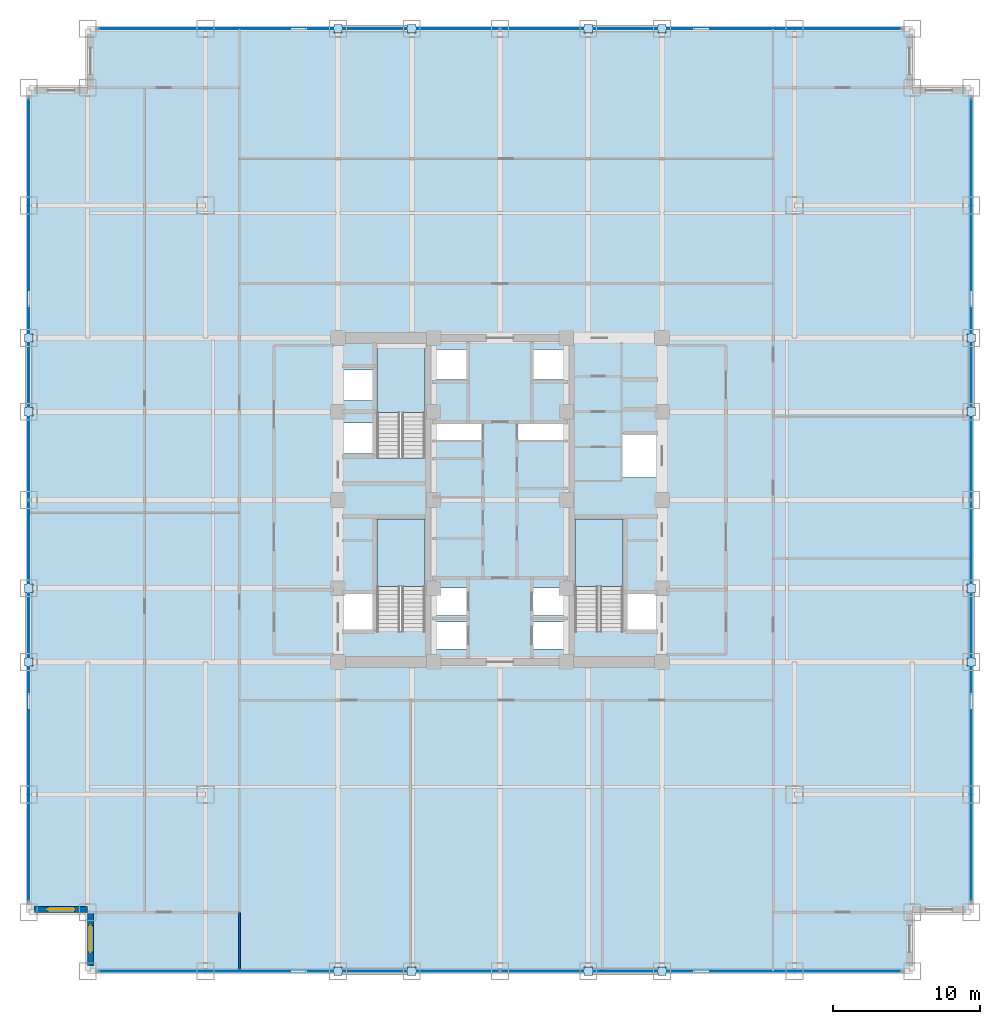
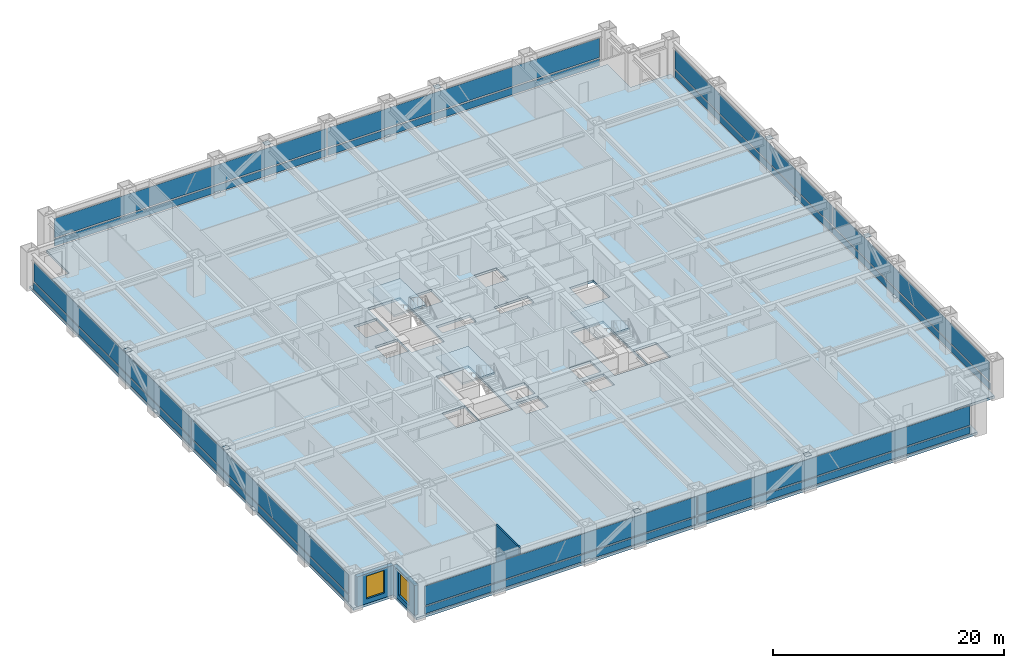
# One storey, part 22 of 27: 32 plates, 4 slabs, 3 walls, 2 windows, 2 openings, 7 elements without a shape of their own.
"""IFC4 building model written with IfcOpenShell, lengths in metres."""

from ifc_helpers import new_model, si_unit, direction, frame, frame_2d, origin, origin_2d, place, context, subcontext, project, spatial, polyline, rectangle, outline, extrude, source, transform, mapped, material, layer, layer_set, type_object, element, fill, aggregate, save


model = new_model("IFC4")

# Units and contexts
model_context = context("Model", 3, precision=1e-05, world=origin(), true_north=direction((0.0, 1.0)))
body_context = subcontext(model_context, "Body", "Model", "MODEL_VIEW")
ifc_project = project(units=[si_unit("LENGTHUNIT", "METRE"), si_unit("AREAUNIT", "SQUARE_METRE"), si_unit("VOLUMEUNIT", "CUBIC_METRE"), si_unit("PLANEANGLEUNIT", "RADIAN"), si_unit("MASSUNIT", "GRAM", prefix="KILO")], contexts=[model_context])

# Site, building, storey
site_placement = place(None, origin())
site = spatial("IfcSite", under=ifc_project, at=site_placement, CompositionType="ELEMENT")
building_placement = place(site_placement, origin())
building = spatial("IfcBuilding", under=site, at=building_placement, Name="Khorayat Bourse Tower", CompositionType="ELEMENT")
storey_placement = place(building_placement, frame((0.0, 0.0, 103.699951171875)))
storey = spatial("IfcBuildingStorey", under=building, at=storey_placement, Name="L23", CompositionType="ELEMENT", Elevation=103.699951171875)

# Stair, slab
ifc_material_1 = material(Name="Concrete C40/50", Category="concrete")
stair_type = type_object("IfcStairType", Name="STR-CORE-1550", PredefinedType="HALF_TURN_STAIR", material=ifc_material_1)
stair_1_placement = place(storey_placement, origin())
stair_1 = element("IfcStair", 1, at=stair_1_placement, inside=storey, type_object=stair_type, Name="L23 Exit Stair ST-1", PredefinedType="HALF_TURN_STAIR")
ifc_layer_1 = layer(ifc_material_1, 0.199951171875)
ifc_layer_set_1 = layer_set([ifc_layer_1], Name="Concrete C40/50")
slab_type_1 = type_object("IfcSlabType", Name="SLB-LANDING-200", PredefinedType="LANDING", material=ifc_layer_set_1)
slab_1_placement = place(storey_placement, frame((0.0, 0.0, 1.85009765625)))
slab_1 = element("IfcSlab", 2, at=slab_1_placement, type_object=slab_type_1, Name="ST-1 landing 1", PredefinedType="LANDING", context=body_context, shape_type="SweptSolid", body=[
    extrude(outline(polyline([(-5.10009765625, -5.8701171875), (-5.10009765625, -1.300048828125), (-8.35009765625, -1.300048828125), (-8.35009765625, -5.8701171875), (-5.10009765625, -5.8701171875)])), origin(), (0.0, 0.0, 1.0), 0.199951171875),
])
aggregate(stair_1, [slab_1])

stair_2_placement = place(storey_placement, origin())
stair_2 = element("IfcStair", 3, at=stair_2_placement, inside=storey, type_object=stair_type, Name="L23 Exit Stair ST-2", PredefinedType="HALF_TURN_STAIR")
slab_2_placement = place(storey_placement, frame((0.0, 0.0, 1.85009765625)))
slab_2 = element("IfcSlab", 4, at=slab_2_placement, type_object=slab_type_1, Name="ST-2 landing 1", PredefinedType="LANDING", context=body_context, shape_type="SweptSolid", body=[
    extrude(outline(polyline([(-5.10009765625, 5.929931640625), (-5.10009765625, 10.5), (-8.35009765625, 10.5), (-8.35009765625, 5.929931640625), (-5.10009765625, 5.929931640625)])), origin(), (0.0, 0.0, 1.0), 0.199951171875),
])
aggregate(stair_2, [slab_2])

stair_3_placement = place(storey_placement, origin())
stair_3 = element("IfcStair", 5, at=stair_3_placement, inside=storey, type_object=stair_type, Name="L23 Exit Stair ST-3", PredefinedType="HALF_TURN_STAIR")
slab_3_placement = place(storey_placement, frame((0.0, 0.0, 1.85009765625)))
slab_3 = element("IfcSlab", 6, at=slab_3_placement, type_object=slab_type_1, Name="ST-3 landing 1", PredefinedType="LANDING", context=body_context, shape_type="SweptSolid", body=[
    extrude(outline(polyline([(8.35009765625, -5.8701171875), (8.35009765625, -1.300048828125), (5.10009765625, -1.300048828125), (5.10009765625, -5.8701171875), (8.35009765625, -5.8701171875)])), origin(), (0.0, 0.0, 1.0), 0.199951171875),
])
aggregate(stair_3, [slab_3])

# Slab
ifc_layer_2 = layer(ifc_material_1, 0.260009765625)
ifc_layer_set_2 = layer_set([ifc_layer_2], Name="Concrete C40/50")
slab_type_2 = type_object("IfcSlabType", Name="SLB-TRADE-260", PredefinedType="FLOOR", material=ifc_layer_set_2)
slab_4_placement = place(storey_placement, frame((0.0, 0.0, -0.260009765625)))
element("IfcSlab", 7, at=slab_4_placement, inside=storey, type_object=slab_type_2, Name="L23 Main Floor Slab", PredefinedType="FLOOR", context=body_context, shape_type="SweptSolid", body=[
    extrude(outline(polyline([(-28.0, -32.0), (28.0, -32.0), (28.0, -28.0), (32.0, -28.0), (32.0, 28.0), (28.0, 28.0), (28.0, 32.0), (-28.0, 32.0), (-28.0, 28.0), (-32.0, 28.0), (-32.0, -28.0), (-28.0, -28.0), (-28.0, -32.0)]), holes=[polyline([(-8.35009765625, -8.945068359375), (-5.10009765625, -8.945068359375), (-5.10009765625, -1.300048828125), (-8.35009765625, -1.300048828125), (-8.35009765625, -8.945068359375)]), polyline([(-8.35009765625, 2.85498046875), (-5.10009765625, 2.85498046875), (-5.10009765625, 10.5), (-8.35009765625, 10.5), (-8.35009765625, 2.85498046875)]), polyline([(5.10009765625, -8.945068359375), (8.35009765625, -8.945068359375), (8.35009765625, -1.300048828125), (5.10009765625, -1.300048828125), (5.10009765625, -8.945068359375)]), polyline([(-4.3798828125, -10.1298828125), (-2.219970703125, -10.1298828125), (-2.219970703125, -8.27001953125), (-4.3798828125, -8.27001953125), (-4.3798828125, -10.1298828125)]), polyline([(2.219970703125, -10.1298828125), (4.3798828125, -10.1298828125), (4.3798828125, -8.27001953125), (2.219970703125, -8.27001953125), (2.219970703125, -10.1298828125)]), polyline([(-4.3798828125, -7.830078125), (-2.219970703125, -7.830078125), (-2.219970703125, -5.969970703125), (-4.3798828125, -5.969970703125), (-4.3798828125, -7.830078125)]), polyline([(2.219970703125, -7.830078125), (4.3798828125, -7.830078125), (4.3798828125, -5.969970703125), (2.219970703125, -5.969970703125), (2.219970703125, -7.830078125)]), polyline([(-4.3798828125, 8.169921875), (-2.1201171875, 8.169921875), (-2.1201171875, 10.22998046875), (-4.3798828125, 10.22998046875), (-4.3798828125, 8.169921875)]), polyline([(2.1201171875, 8.169921875), (4.3798828125, 8.169921875), (4.3798828125, 10.22998046875), (2.1201171875, 10.22998046875), (2.1201171875, 8.169921875)]), polyline([(-10.679931640625, 3.169921875), (-8.419921875, 3.169921875), (-8.419921875, 5.22998046875), (-10.679931640625, 5.22998046875), (-10.679931640625, 3.169921875)]), polyline([(-10.679931640625, 6.77001953125), (-8.419921875, 6.77001953125), (-8.419921875, 8.830078125), (-10.679931640625, 8.830078125), (-10.679931640625, 6.77001953125)]), polyline([(-10.679931640625, -8.929931640625), (-8.419921875, -8.929931640625), (-8.419921875, -6.3701171875), (-10.679931640625, -6.3701171875), (-10.679931640625, -8.929931640625)]), polyline([(8.419921875, -8.929931640625), (10.679931640625, -8.929931640625), (10.679931640625, -6.3701171875), (8.419921875, -6.3701171875), (8.419921875, -8.929931640625)]), polyline([(8.320068359375, 1.52001953125), (10.679931640625, 1.52001953125), (10.679931640625, 4.47998046875), (8.320068359375, 4.47998046875), (8.320068359375, 1.52001953125)]), polyline([(-4.56005859375, 4.080078125), (-1.18994140625, 4.080078125), (-1.18994140625, 5.219970703125), (-4.56005859375, 5.219970703125), (-4.56005859375, 4.080078125)]), polyline([(1.18994140625, 4.080078125), (4.56005859375, 4.080078125), (4.56005859375, 5.219970703125), (1.18994140625, 5.219970703125), (1.18994140625, 4.080078125)])]), origin(), (0.0, 0.0, 1.0), 0.260009765625),
])

# Plates
ifc_material_2 = material(Name="Steel EN 10025-2 S355J2", Category="steel")
ifc_layer_3 = layer(ifc_material_2, 0.02490234375)
ifc_layer_set_3 = layer_set([ifc_layer_3], Name="Steel EN 10025-2 S355J2")
plate_type_1 = type_object("IfcPlateType", Name="PLT-ENDCAP-25", PredefinedType="SHEET", material=ifc_layer_set_3)
shared_shape_1 = source(origin(), body_context, "Body", "SweptSolid", [
    extrude(rectangle(XDim=0.56005859375, YDim=0.56005859375, at=origin_2d()), origin(), (0.0, 0.0, 1.0), 0.02490234375),
])
for number, where, z_axis, x_axis, name in (
    (8, (-11.0, -32.0, 0.237548828125), (0.0, 0.0, 1.0), (1.0, 0.0, 0.0), "L23 Perimeter Brace End Plate 001"),
    (9, (-6.0, -32.0, 3.57763671875), (0.0, 0.0, 1.0), (1.0, 0.0, 0.0), "L23 Perimeter Brace End Plate 002"),
    (10, (6.0, -32.0, 0.237548828125), (0.0, 0.0, 1.0), (1.0, 0.0, 0.0), "L23 Perimeter Brace End Plate 003"),
    (11, (11.0, -32.0, 3.57763671875), (0.0, 0.0, 1.0), (1.0, 0.0, 0.0), "L23 Perimeter Brace End Plate 004"),
    (12, (-11.0, 32.0, 0.237548828125), (0.0, 0.0, 1.0), (1.0, 0.0, 0.0), "L23 Perimeter Brace End Plate 005"),
    (13, (-6.0, 32.0, 3.57763671875), (0.0, 0.0, 1.0), (1.0, 0.0, 0.0), "L23 Perimeter Brace End Plate 006"),
    (14, (6.0, 32.0, 0.237548828125), (0.0, 0.0, 1.0), (1.0, 0.0, 0.0), "L23 Perimeter Brace End Plate 007"),
    (15, (11.0, 32.0, 3.57763671875), (0.0, 0.0, 1.0), (1.0, 0.0, 0.0), "L23 Perimeter Brace End Plate 008"),
    (16, (-32.0, -11.0, 0.237548828125), (0.0, 0.0, 1.0), (1.0, 0.0, 0.0), "L23 Perimeter Brace End Plate 009"),
    (17, (-32.0, -6.0, 3.57763671875), (0.0, 0.0, 1.0), (1.0, 0.0, 0.0), "L23 Perimeter Brace End Plate 010"),
    (18, (-32.0, 6.0, 0.237548828125), (0.0, 0.0, 1.0), (1.0, 0.0, 0.0), "L23 Perimeter Brace End Plate 011"),
    (19, (-32.0, 11.0, 3.57763671875), (0.0, 0.0, 1.0), (1.0, 0.0, 0.0), "L23 Perimeter Brace End Plate 012"),
    (20, (32.0, -11.0, 0.237548828125), (0.0, 0.0, 1.0), (1.0, 0.0, 0.0), "L23 Perimeter Brace End Plate 013"),
    (21, (32.0, -6.0, 3.57763671875), (0.0, 0.0, 1.0), (1.0, 0.0, 0.0), "L23 Perimeter Brace End Plate 014"),
    (22, (32.0, 6.0, 0.237548828125), (0.0, 0.0, 1.0), (1.0, 0.0, 0.0), "L23 Perimeter Brace End Plate 015"),
    (23, (32.0, 11.0, 3.57763671875), (0.0, 0.0, 1.0), (1.0, 0.0, 0.0), "L23 Perimeter Brace End Plate 016"),
):
    element("IfcPlate", number, at=place(storey_placement, frame(where, z_axis=z_axis, x_axis=x_axis)), inside=storey, type_object=plate_type_1, Name=name, PredefinedType="SHEET", context=body_context, shape_type="MappedRepresentation", body=[
        mapped(shared_shape_1, transform((0.0, 0.0, 0.0), scale=1.0)),
    ])

# Curtain wall, plates
ifc_material_3 = material(Name="Aluminium EN AW-6063 T6", Category="aluminium")
curtain_wall_type = type_object("IfcCurtainWallType", Name="CW-SYS-02", PredefinedType="NOTDEFINED", material=ifc_material_3)
curtain_wall_1_placement = place(storey_placement, origin())
curtain_wall_1 = element("IfcCurtainWall", 24, at=curtain_wall_1_placement, inside=storey, type_object=curtain_wall_type, Name="L23 Curtain Wall CW-L23-S1", PredefinedType="NOTDEFINED")
ifc_material_4 = material(Name="Honed desert limestone insulated spandrel", Category="masonry")
ifc_layer_4 = layer(ifc_material_4, 0.06494140625)
ifc_layer_set_4 = layer_set([ifc_layer_4], Name="Honed desert limestone insulated spandrel")
plate_type_2 = type_object("IfcPlateType", Name="CWP-SPAND-03", PredefinedType="CURTAIN_PANEL", material=ifc_layer_set_4)
shared_shape_2 = source(origin(), body_context, "Body", "SweptSolid", [
    extrude(rectangle(XDim=27.139892578125, YDim=0.06494140625, at=origin_2d()), origin(), (0.0, 0.0, 1.0), 0.739990234375),
])
plate_1_placement = place(storey_placement, frame((-13.639892578125, -32.0, 0.14013671875), z_axis=(0.0, 0.0, 1.0), x_axis=(1.0, 0.0, 0.0)))
plate_1 = element("IfcPlate", 25, at=plate_1_placement, type_object=plate_type_2, Name="CW-L23-S1 Spandrel Panel 1-1", PredefinedType="CURTAIN_PANEL", context=body_context, shape_type="MappedRepresentation", body=[
    mapped(shared_shape_2, transform((0.0, 0.0, 0.0), scale=1.0)),
])
plate_2_placement = place(storey_placement, frame((13.639892578125, -32.0, 0.14013671875), z_axis=(0.0, 0.0, 1.0), x_axis=(1.0, 0.0, 0.0)))
plate_2 = element("IfcPlate", 26, at=plate_2_placement, type_object=plate_type_2, Name="CW-L23-S1 Spandrel Panel 2-1", PredefinedType="CURTAIN_PANEL", context=body_context, shape_type="MappedRepresentation", body=[
    mapped(shared_shape_2, transform((0.0, 0.0, 0.0), scale=1.0)),
])

curtain_wall_2_placement = place(storey_placement, origin())
curtain_wall_2 = element("IfcCurtainWall", 27, at=curtain_wall_2_placement, inside=storey, type_object=curtain_wall_type, Name="L23 Curtain Wall CW-L23-N1", PredefinedType="NOTDEFINED")
plate_3_placement = place(storey_placement, frame((-13.639892578125, 32.0, 0.14013671875), z_axis=(0.0, 0.0, 1.0), x_axis=(1.0, 0.0, 0.0)))
plate_3 = element("IfcPlate", 28, at=plate_3_placement, type_object=plate_type_2, Name="CW-L23-N1 Spandrel Panel 1-1", PredefinedType="CURTAIN_PANEL", context=body_context, shape_type="MappedRepresentation", body=[
    mapped(shared_shape_2, transform((0.0, 0.0, 0.0), scale=1.0)),
])
plate_4_placement = place(storey_placement, frame((13.639892578125, 32.0, 0.14013671875), z_axis=(0.0, 0.0, 1.0), x_axis=(1.0, 0.0, 0.0)))
plate_4 = element("IfcPlate", 29, at=plate_4_placement, type_object=plate_type_2, Name="CW-L23-N1 Spandrel Panel 2-1", PredefinedType="CURTAIN_PANEL", context=body_context, shape_type="MappedRepresentation", body=[
    mapped(shared_shape_2, transform((0.0, 0.0, 0.0), scale=1.0)),
])

curtain_wall_3_placement = place(storey_placement, origin())
curtain_wall_3 = element("IfcCurtainWall", 30, at=curtain_wall_3_placement, inside=storey, type_object=curtain_wall_type, Name="L23 Curtain Wall CW-L23-W1", PredefinedType="NOTDEFINED")
plate_5_placement = place(storey_placement, frame((-32.0, -13.639892578125, 0.14013671875), z_axis=(0.0, 0.0, 1.0), x_axis=(0.0, 1.0, 0.0)))
plate_5 = element("IfcPlate", 31, at=plate_5_placement, type_object=plate_type_2, Name="CW-L23-W1 Spandrel Panel 1-1", PredefinedType="CURTAIN_PANEL", context=body_context, shape_type="MappedRepresentation", body=[
    mapped(shared_shape_2, transform((0.0, 0.0, 0.0), scale=1.0)),
])
plate_6_placement = place(storey_placement, frame((-32.0, 13.639892578125, 0.14013671875), z_axis=(0.0, 0.0, 1.0), x_axis=(0.0, 1.0, 0.0)))
plate_6 = element("IfcPlate", 32, at=plate_6_placement, type_object=plate_type_2, Name="CW-L23-W1 Spandrel Panel 2-1", PredefinedType="CURTAIN_PANEL", context=body_context, shape_type="MappedRepresentation", body=[
    mapped(shared_shape_2, transform((0.0, 0.0, 0.0), scale=1.0)),
])

curtain_wall_4_placement = place(storey_placement, origin())
curtain_wall_4 = element("IfcCurtainWall", 33, at=curtain_wall_4_placement, inside=storey, type_object=curtain_wall_type, Name="L23 Curtain Wall CW-L23-E1", PredefinedType="NOTDEFINED")
plate_7_placement = place(storey_placement, frame((32.0, -13.639892578125, 0.14013671875), z_axis=(0.0, 0.0, 1.0), x_axis=(0.0, 1.0, 0.0)))
plate_7 = element("IfcPlate", 34, at=plate_7_placement, type_object=plate_type_2, Name="CW-L23-E1 Spandrel Panel 1-1", PredefinedType="CURTAIN_PANEL", context=body_context, shape_type="MappedRepresentation", body=[
    mapped(shared_shape_2, transform((0.0, 0.0, 0.0), scale=1.0)),
])
plate_8_placement = place(storey_placement, frame((32.0, 13.639892578125, 0.14013671875), z_axis=(0.0, 0.0, 1.0), x_axis=(0.0, 1.0, 0.0)))
plate_8 = element("IfcPlate", 35, at=plate_8_placement, type_object=plate_type_2, Name="CW-L23-E1 Spandrel Panel 2-1", PredefinedType="CURTAIN_PANEL", context=body_context, shape_type="MappedRepresentation", body=[
    mapped(shared_shape_2, transform((0.0, 0.0, 0.0), scale=1.0)),
])

# Plate
ifc_material_5 = material(Name="Low-E solar-control laminated double glazing", Category="glass")
ifc_layer_5 = layer(ifc_material_5, 0.0419921875)
ifc_layer_set_5 = layer_set([ifc_layer_5], Name="Low-E solar-control laminated double glazing")
plate_type_3 = type_object("IfcPlateType", Name="CWP-FACET-02", PredefinedType="CURTAIN_PANEL", material=ifc_layer_set_5)
shared_shape_3 = source(origin(), body_context, "Body", "SweptSolid", [
    extrude(rectangle(XDim=27.139892578125, YDim=0.0419921875, at=origin_2d()), origin(), (0.0, 0.0, 1.0), 2.030029296875),
])
plate_9_placement = place(storey_placement, frame((-13.639892578125, -32.0, 1.02001953125), z_axis=(0.0, 0.0, 1.0), x_axis=(1.0, 0.0, 0.0)))
plate_9 = element("IfcPlate", 36, at=plate_9_placement, type_object=plate_type_3, Name="CW-L23-S1 Vision Panel 1-2", PredefinedType="CURTAIN_PANEL", context=body_context, shape_type="MappedRepresentation", body=[
    mapped(shared_shape_3, transform((0.0, 0.0, 0.0), scale=1.0)),
])

plate_10_placement = place(storey_placement, frame((13.639892578125, -32.0, 1.02001953125), z_axis=(0.0, 0.0, 1.0), x_axis=(1.0, 0.0, 0.0)))
plate_10 = element("IfcPlate", 37, at=plate_10_placement, type_object=plate_type_3, Name="CW-L23-S1 Vision Panel 2-2", PredefinedType="CURTAIN_PANEL", context=body_context, shape_type="MappedRepresentation", body=[
    mapped(shared_shape_3, transform((0.0, 0.0, 0.0), scale=1.0)),
])

aggregate(curtain_wall_1, [plate_1, plate_9, plate_2, plate_10])

plate_11_placement = place(storey_placement, frame((-13.639892578125, 32.0, 1.02001953125), z_axis=(0.0, 0.0, 1.0), x_axis=(1.0, 0.0, 0.0)))
plate_11 = element("IfcPlate", 38, at=plate_11_placement, type_object=plate_type_3, Name="CW-L23-N1 Vision Panel 1-2", PredefinedType="CURTAIN_PANEL", context=body_context, shape_type="MappedRepresentation", body=[
    mapped(shared_shape_3, transform((0.0, 0.0, 0.0), scale=1.0)),
])

plate_12_placement = place(storey_placement, frame((13.639892578125, 32.0, 1.02001953125), z_axis=(0.0, 0.0, 1.0), x_axis=(1.0, 0.0, 0.0)))
plate_12 = element("IfcPlate", 39, at=plate_12_placement, type_object=plate_type_3, Name="CW-L23-N1 Vision Panel 2-2", PredefinedType="CURTAIN_PANEL", context=body_context, shape_type="MappedRepresentation", body=[
    mapped(shared_shape_3, transform((0.0, 0.0, 0.0), scale=1.0)),
])

aggregate(curtain_wall_2, [plate_3, plate_11, plate_4, plate_12])

plate_13_placement = place(storey_placement, frame((-32.0, -13.639892578125, 1.02001953125), z_axis=(0.0, 0.0, 1.0), x_axis=(0.0, 1.0, 0.0)))
plate_13 = element("IfcPlate", 40, at=plate_13_placement, type_object=plate_type_3, Name="CW-L23-W1 Vision Panel 1-2", PredefinedType="CURTAIN_PANEL", context=body_context, shape_type="MappedRepresentation", body=[
    mapped(shared_shape_3, transform((0.0, 0.0, 0.0), scale=1.0)),
])

plate_14_placement = place(storey_placement, frame((-32.0, 13.639892578125, 1.02001953125), z_axis=(0.0, 0.0, 1.0), x_axis=(0.0, 1.0, 0.0)))
plate_14 = element("IfcPlate", 41, at=plate_14_placement, type_object=plate_type_3, Name="CW-L23-W1 Vision Panel 2-2", PredefinedType="CURTAIN_PANEL", context=body_context, shape_type="MappedRepresentation", body=[
    mapped(shared_shape_3, transform((0.0, 0.0, 0.0), scale=1.0)),
])

aggregate(curtain_wall_3, [plate_5, plate_13, plate_6, plate_14])

plate_15_placement = place(storey_placement, frame((32.0, -13.639892578125, 1.02001953125), z_axis=(0.0, 0.0, 1.0), x_axis=(0.0, 1.0, 0.0)))
plate_15 = element("IfcPlate", 42, at=plate_15_placement, type_object=plate_type_3, Name="CW-L23-E1 Vision Panel 1-2", PredefinedType="CURTAIN_PANEL", context=body_context, shape_type="MappedRepresentation", body=[
    mapped(shared_shape_3, transform((0.0, 0.0, 0.0), scale=1.0)),
])

plate_16_placement = place(storey_placement, frame((32.0, 13.639892578125, 1.02001953125), z_axis=(0.0, 0.0, 1.0), x_axis=(0.0, 1.0, 0.0)))
plate_16 = element("IfcPlate", 43, at=plate_16_placement, type_object=plate_type_3, Name="CW-L23-E1 Vision Panel 2-2", PredefinedType="CURTAIN_PANEL", context=body_context, shape_type="MappedRepresentation", body=[
    mapped(shared_shape_3, transform((0.0, 0.0, 0.0), scale=1.0)),
])

aggregate(curtain_wall_4, [plate_7, plate_15, plate_8, plate_16])

# Wall, opening, window
ifc_material_6 = material(Name="Precast concrete C45/55", Category="concrete")
ifc_layer_6 = layer(ifc_material_6, 0.3798828125)
ifc_layer_set_6 = layer_set([ifc_layer_6], Name="Precast concrete C45/55")
wall_type_1 = type_object("IfcWallType", Name="WAL-EXT-STONE-380", PredefinedType="STANDARD", material=ifc_layer_set_6)
shared_shape_4 = source(origin(), body_context, "Body", "SweptSolid", [
    extrude(rectangle(XDim=3.6201171875, YDim=0.3798828125, at=frame_2d((1.81005859375, 0.0))), origin(), (0.0, 0.0, 1.0), 3.14501953125),
])
wall_1_placement = place(storey_placement, frame((-28.0, -27.81005859375, 0.0), z_axis=(0.0, 0.0, 1.0), x_axis=(-1.0, 0.0, 0.0)))
wall_1 = element("IfcWall", 44, at=wall_1_placement, inside=storey, type_object=wall_type_1, Name="L23 Re-Entrant Notch Limestone Wall SW-H", PredefinedType="STANDARD", context=body_context, shape_type="MappedRepresentation", body=[
    mapped(shared_shape_4, transform((0.0, 0.0, 0.0), scale=1.0)),
])
shared_shape_5 = source(origin(), body_context, "Body", "SweptSolid", [
    extrude(rectangle(XDim=1.800048828125, YDim=2.39990234375, at=frame_2d((0.89990234375, 1.199951171875))), frame((0.0, 0.199951171875, 0.0), z_axis=(0.0, -1.0, 0.0), x_axis=(1.0, 0.0, 0.0)), (0.0, 0.0, 1.0), 0.39990234375),
])
opening_1_placement = place(wall_1_placement, frame((0.909912109375, 0.0, 0.5)))
opening_1 = element("IfcOpeningElement", 45, at=opening_1_placement, cuts=wall_1, Name="Opening WN-04", PredefinedType="OPENING", context=body_context, shape_type="MappedRepresentation", body=[
    mapped(shared_shape_5, transform((0.0, 0.0, 0.0), scale=1.0)),
])
ifc_material_7 = material(Name="Low-E acoustic laminated double glazing", Category="glass")
window_type = type_object("IfcWindowType", Name="WIN-NOTCH-1800x2400", PartitioningType="SINGLE_PANEL", PredefinedType="WINDOW", material=ifc_material_7)
shared_shape_6 = source(origin(), body_context, "Body", "SweptSolid", [
    extrude(rectangle(XDim=1.800048828125, YDim=2.39990234375, at=frame_2d((0.89990234375, 1.199951171875))), frame((0.0, 0.030029296875, 0.0), z_axis=(0.0, -1.0, 0.0), x_axis=(1.0, 0.0, 0.0)), (0.0, 0.0, 1.0), 0.06005859375),
])
window_1_placement = place(opening_1_placement, origin())
window_1 = element("IfcWindow", 46, at=window_1_placement, inside=storey, type_object=window_type, Name="L23 Facade Window 1", OverallHeight=2.39990234375, OverallWidth=1.800048828125, PartitioningType="SINGLE_PANEL", PredefinedType="WINDOW", context=body_context, shape_type="MappedRepresentation", body=[
    mapped(shared_shape_6, transform((0.0, 0.0, 0.0), scale=1.0)),
])
fill(opening_1, window_1)

wall_2_placement = place(storey_placement, frame((-27.81005859375, -31.6201171875, 0.0), z_axis=(0.0, 0.0, 1.0), x_axis=(0.0, 1.0, 0.0)))
wall_2 = element("IfcWall", 47, at=wall_2_placement, inside=storey, type_object=wall_type_1, Name="L23 Re-Entrant Notch Limestone Wall SW-V", PredefinedType="STANDARD", context=body_context, shape_type="MappedRepresentation", body=[
    mapped(shared_shape_4, transform((0.0, 0.0, 0.0), scale=1.0)),
])
opening_2_placement = place(wall_2_placement, frame((0.909912109375, 0.0, 0.5)))
opening_2 = element("IfcOpeningElement", 48, at=opening_2_placement, cuts=wall_2, Name="Opening WN-04", PredefinedType="OPENING", context=body_context, shape_type="MappedRepresentation", body=[
    mapped(shared_shape_5, transform((0.0, 0.0, 0.0), scale=1.0)),
])
window_2_placement = place(opening_2_placement, origin())
window_2 = element("IfcWindow", 49, at=window_2_placement, inside=storey, type_object=window_type, Name="L23 Facade Window 1", OverallHeight=2.39990234375, OverallWidth=1.800048828125, PartitioningType="SINGLE_PANEL", PredefinedType="WINDOW", context=body_context, shape_type="MappedRepresentation", body=[
    mapped(shared_shape_6, transform((0.0, 0.0, 0.0), scale=1.0)),
])
fill(opening_2, window_2)

# Wall
ifc_material_8 = material(Name="Gypsum plasterboard twin-frame partition")
ifc_layer_7 = layer(ifc_material_8, 0.14990234375)
ifc_layer_set_7 = layer_set([ifc_layer_7], Name="Gypsum plasterboard twin-frame partition")
wall_type_2 = type_object("IfcWallType", Name="WAL-PART-SUITE-150", PredefinedType="PARTITIONING", material=ifc_layer_set_7)
shared_shape_7 = source(origin(), body_context, "Body", "SweptSolid", [
    extrude(rectangle(XDim=4.0, YDim=0.14990234375, at=frame_2d((2.0, 0.0))), origin(), (0.0, 0.0, 1.0), 3.840087890625),
])
wall_3_placement = place(storey_placement, frame((-17.699951171875, -32.0, 0.0), z_axis=(0.0, 0.0, 1.0), x_axis=(0.0, 1.0, 0.0)))
element("IfcWall", 50, at=wall_3_placement, inside=storey, type_object=wall_type_2, Name="L23 Partition WAL-L23-SCW-END", PredefinedType="PARTITIONING", context=body_context, shape_type="MappedRepresentation", body=[
    mapped(shared_shape_7, transform((0.0, 0.0, 0.0), scale=1.0)),
])

save(model, "model.ifc")
